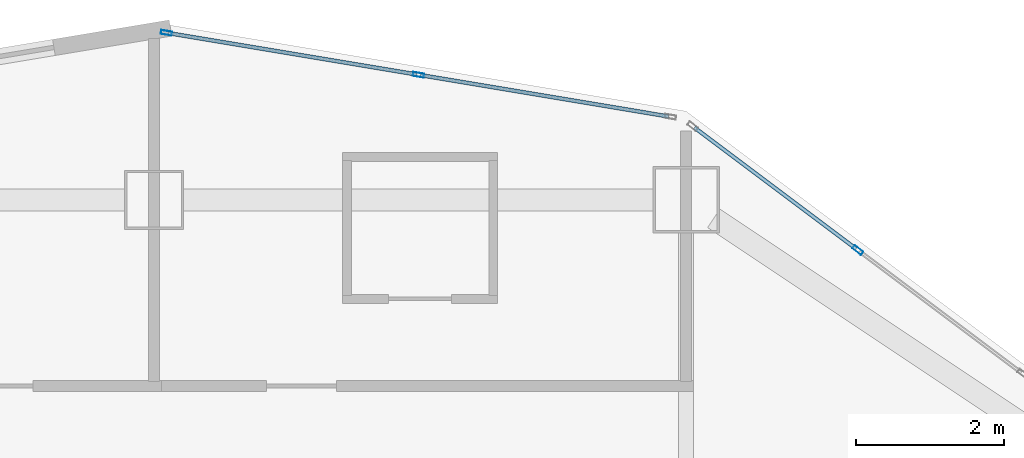
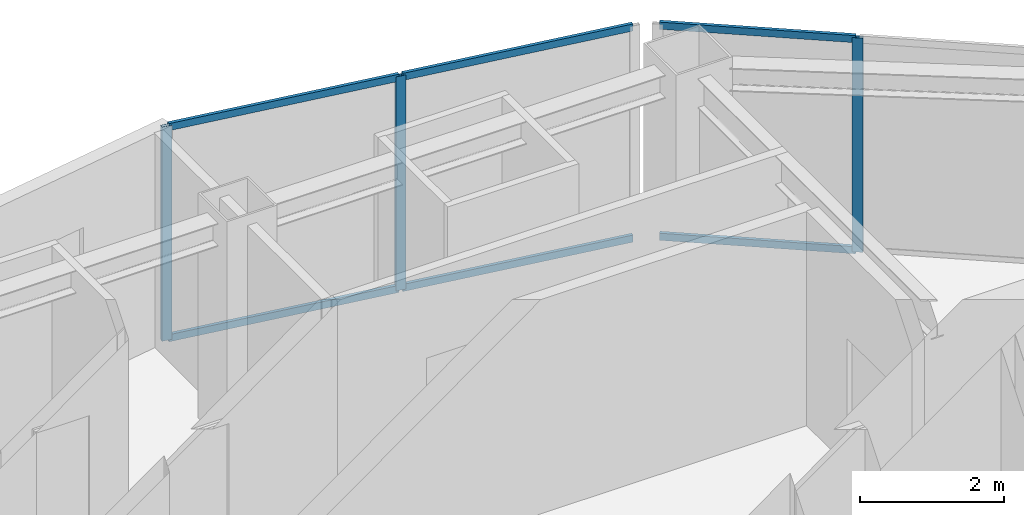
# One storey, part 2 of 11: 9 members, 2 elements without a shape of their own.
"""IFC4 building model written with IfcOpenShell, lengths in metres."""

from ifc_helpers import new_model, si_unit, direction, frame, origin, origin_2d, place, context, subcontext, project, spatial, hollow_rectangle, extrude, material, layer, layer_set, material_profile, profile_set, type_object, element, aggregate, save


model = new_model("IFC4")

# Units and contexts
model_context = context("Model", 3, precision=1e-05, world=origin(), true_north=direction((0.0, 1.0)))
body_context = subcontext(model_context, "Body", "Model", "MODEL_VIEW")
ifc_project = project(units=[si_unit("LENGTHUNIT", "METRE"), si_unit("AREAUNIT", "SQUARE_METRE"), si_unit("VOLUMEUNIT", "CUBIC_METRE"), si_unit("PLANEANGLEUNIT", "RADIAN"), si_unit("MASSUNIT", "GRAM", prefix="KILO")], contexts=[model_context])

# Site, building, storey
site_placement = place(None, origin())
site = spatial("IfcSite", under=ifc_project, at=site_placement, CompositionType="ELEMENT")
building_placement = place(site_placement, origin())
building = spatial("IfcBuilding", under=site, at=building_placement, Name="Haolan Belvedere Tower", CompositionType="ELEMENT")
storey_placement = place(building_placement, frame((0.0, 0.0, 211.60009765625)))
storey = spatial("IfcBuildingStorey", under=building, at=storey_placement, Name="L53", CompositionType="ELEMENT", Elevation=211.60009765625)

# Curtain wall, member
ifc_material_1 = material(Name="Anodised champagne-silver aluminium 6063-T6 and Low-E glass", Category="aluminium")
ifc_layer = layer(ifc_material_1, 0.14990234375, Name="Anodised champagne-silver aluminium 6063-T6 and Low-E glass")
ifc_layer_set = layer_set([ifc_layer], Name="Anodised champagne-silver aluminium 6063-T6 and Low-E glass")
curtain_wall_type = type_object("IfcCurtainWallType", Name="CW-SYS-04", PredefinedType="NOTDEFINED", material=ifc_layer_set)
curtain_wall_1_placement = place(storey_placement, origin())
curtain_wall_1 = element("IfcCurtainWall", 1, at=curtain_wall_1_placement, inside=storey, type_object=curtain_wall_type, Name="L53 CW-SYS-04 ribbon curtain wall 20.1", PredefinedType="NOTDEFINED")
ifc_material_2 = material(Name="Anodised aluminium 6063-T6", Category="aluminium")
ifc_material_profile_1 = material_profile(ifc_material_2, hollow_rectangle(XDim=0.055908203125, YDim=0.14990234375, WallThickness=0.00390625, at=origin_2d()), Name="Anodised aluminium 6063-T6")
ifc_profile_set_1 = profile_set([ifc_material_profile_1], Name="Anodised aluminium 6063-T6")
member_type_1 = type_object("IfcMemberType", Name="CW-SYS-04-MUL", PredefinedType="MULLION", material=ifc_profile_set_1)
member_1_placement = place(storey_placement, frame((47.9228515625, 49.720458984375, 0.0), z_axis=(0.0, 0.0, 1.0), x_axis=(-0.600002837806, -0.799997871638, 0.0)))
member_1 = element("IfcMember", 2, at=member_1_placement, type_object=member_type_1, Name="CW-04 mullion 2", PredefinedType="MULLION", context=body_context, shape_type="SweptSolid", body=[
    extrude(hollow_rectangle(XDim=0.055908203125, YDim=0.14990234375, WallThickness=0.00390625, at=origin_2d()), origin(), (0.0, 0.0, 1.0), 3.619873046875),
])

# Curtain wall, members
curtain_wall_2_placement = place(storey_placement, origin())
curtain_wall_2 = element("IfcCurtainWall", 3, at=curtain_wall_2_placement, inside=storey, type_object=curtain_wall_type, Name="L53 CW-SYS-04 ribbon curtain wall 21.1", PredefinedType="NOTDEFINED")
member_2_placement = place(storey_placement, frame((41.977783203125, 52.09228515625, 0.0), z_axis=(0.0, 0.0, 1.0), x_axis=(-0.164405962825, -0.98639276122, 0.0)))
member_2 = element("IfcMember", 4, at=member_2_placement, type_object=member_type_1, Name="CW-04 mullion 2", PredefinedType="MULLION", context=body_context, shape_type="SweptSolid", body=[
    extrude(hollow_rectangle(XDim=0.055908203125, YDim=0.14990234375, WallThickness=0.00390625, at=origin_2d()), origin(), (0.0, 0.0, 1.0), 3.619873046875),
])
member_3_placement = place(storey_placement, frame((38.565673828125, 52.660888671875, 0.0), z_axis=(0.0, 0.0, 1.0), x_axis=(-0.164405962825, -0.98639276122, 0.0)))
member_3 = element("IfcMember", 5, at=member_3_placement, type_object=member_type_1, Name="CW-04 mullion 3", PredefinedType="MULLION", context=body_context, shape_type="SweptSolid", body=[
    extrude(hollow_rectangle(XDim=0.055908203125, YDim=0.14990234375, WallThickness=0.00390625, at=origin_2d()), origin(), (0.0, 0.0, 1.0), 3.619873046875),
])

# Member
ifc_material_profile_2 = material_profile(ifc_material_2, hollow_rectangle(XDim=0.052001953125, YDim=0.1201171875, WallThickness=0.00390625, at=origin_2d()), Name="Anodised aluminium 6063-T6")
ifc_profile_set_2 = profile_set([ifc_material_profile_2], Name="Anodised aluminium 6063-T6")
member_type_2 = type_object("IfcMemberType", Name="CW-SYS-04-TRN", PredefinedType="USERDEFINED", material=ifc_profile_set_2)
member_4_placement = place(storey_placement, frame((47.900390625, 49.7373046875, 0.02587890625), z_axis=(-0.799978576274, 0.600028563905, 0.0), x_axis=(-0.600028563905, -0.799978576274, 0.0)))
member_4 = element("IfcMember", 6, at=member_4_placement, type_object=member_type_2, Name="CW-04 transom 2.1", ObjectType="TRANSOM", PredefinedType="USERDEFINED", context=body_context, shape_type="SweptSolid", body=[
    extrude(hollow_rectangle(XDim=0.052001953125, YDim=0.1201171875, WallThickness=0.00390625, at=origin_2d()), origin(), (0.0, 0.0, 1.0), 2.735107421875),
])

member_5_placement = place(storey_placement, frame((47.900390625, 49.7373046875, 3.593994140625), z_axis=(-0.799978576274, 0.600028563905, 0.0), x_axis=(-0.600028563905, -0.799978576274, 0.0)))
member_5 = element("IfcMember", 7, at=member_5_placement, type_object=member_type_2, Name="CW-04 transom 2.2", ObjectType="TRANSOM", PredefinedType="USERDEFINED", context=body_context, shape_type="SweptSolid", body=[
    extrude(hollow_rectangle(XDim=0.052001953125, YDim=0.1201171875, WallThickness=0.00390625, at=origin_2d()), origin(), (0.0, 0.0, 1.0), 2.735107421875),
])

aggregate(curtain_wall_1, [member_1, member_4, member_5])

member_6_placement = place(storey_placement, frame((45.362060546875, 51.528076171875, 0.02587890625), z_axis=(-0.986388106252, 0.164433888976, 0.0), x_axis=(-0.164433888976, -0.986388106252, 0.0)))
member_6 = element("IfcMember", 8, at=member_6_placement, type_object=member_type_2, Name="CW-04 transom 1.1", ObjectType="TRANSOM", PredefinedType="USERDEFINED", context=body_context, shape_type="SweptSolid", body=[
    extrude(hollow_rectangle(XDim=0.052001953125, YDim=0.1201171875, WallThickness=0.00390625, at=origin_2d()), origin(), (0.0, 0.0, 1.0), 3.403076171875),
])

member_7_placement = place(storey_placement, frame((45.362060546875, 51.528076171875, 3.593994140625), z_axis=(-0.986388106252, 0.164433888976, 0.0), x_axis=(-0.164433888976, -0.986388106252, 0.0)))
member_7 = element("IfcMember", 9, at=member_7_placement, type_object=member_type_2, Name="CW-04 transom 1.2", ObjectType="TRANSOM", PredefinedType="USERDEFINED", context=body_context, shape_type="SweptSolid", body=[
    extrude(hollow_rectangle(XDim=0.052001953125, YDim=0.1201171875, WallThickness=0.00390625, at=origin_2d()), origin(), (0.0, 0.0, 1.0), 3.403076171875),
])

member_8_placement = place(storey_placement, frame((41.9501953125, 52.096923828125, 0.02587890625), z_axis=(-0.986401678227, 0.164352454169, 0.0), x_axis=(-0.164352454169, -0.986401678227, 0.0)))
member_8 = element("IfcMember", 10, at=member_8_placement, type_object=member_type_2, Name="CW-04 transom 2.1", ObjectType="TRANSOM", PredefinedType="USERDEFINED", context=body_context, shape_type="SweptSolid", body=[
    extrude(hollow_rectangle(XDim=0.052001953125, YDim=0.1201171875, WallThickness=0.00390625, at=origin_2d()), origin(), (0.0, 0.0, 1.0), 3.4033203125),
])

member_9_placement = place(storey_placement, frame((41.9501953125, 52.096923828125, 3.593994140625), z_axis=(-0.986401678227, 0.164352454169, 0.0), x_axis=(-0.164352454169, -0.986401678227, 0.0)))
member_9 = element("IfcMember", 11, at=member_9_placement, type_object=member_type_2, Name="CW-04 transom 2.2", ObjectType="TRANSOM", PredefinedType="USERDEFINED", context=body_context, shape_type="SweptSolid", body=[
    extrude(hollow_rectangle(XDim=0.052001953125, YDim=0.1201171875, WallThickness=0.00390625, at=origin_2d()), origin(), (0.0, 0.0, 1.0), 3.4033203125),
])

aggregate(curtain_wall_2, [member_2, member_3, member_6, member_7, member_8, member_9])

save(model, "model.ifc")
